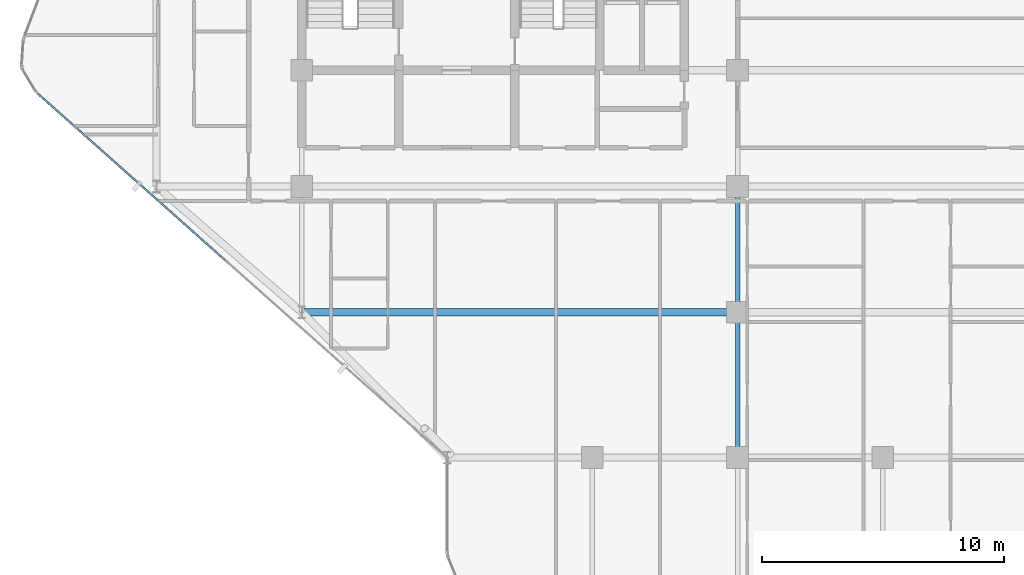
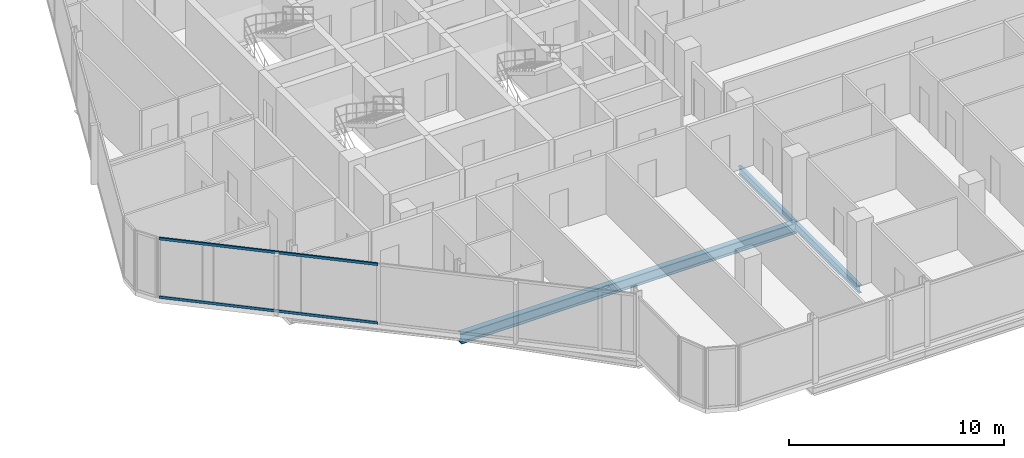
# One storey, part 6 of 31: 3 beams, 2 members, 1 element without a shape of its own.
"""IFC4 building model written with IfcOpenShell, lengths in metres."""

from ifc_helpers import new_model, si_unit, direction, frame, origin, origin_2d, place, context, subcontext, project, spatial, hollow_rectangle, i_section, extrude, material, layer, layer_set, material_profile, profile_set, type_object, element, aggregate, save


model = new_model("IFC4")

# Units and contexts
model_context = context("Model", 3, precision=1e-05, world=origin(), true_north=direction((0.0, 1.0)))
body_context = subcontext(model_context, "Body", "Model", "MODEL_VIEW")
ifc_project = project(units=[si_unit("LENGTHUNIT", "METRE"), si_unit("AREAUNIT", "SQUARE_METRE"), si_unit("VOLUMEUNIT", "CUBIC_METRE"), si_unit("PLANEANGLEUNIT", "RADIAN"), si_unit("MASSUNIT", "GRAM", prefix="KILO")], contexts=[model_context])

# Site, building, storey
site_placement = place(None, origin())
site = spatial("IfcSite", under=ifc_project, at=site_placement, CompositionType="ELEMENT")
building_placement = place(site_placement, origin())
building = spatial("IfcBuilding", under=site, at=building_placement, Name="Keshet Zoharim Tower", CompositionType="ELEMENT")
storey_placement = place(building_placement, frame((0.0, 0.0, 148.300048828125)))
storey = spatial("IfcBuildingStorey", under=building, at=storey_placement, Name="L36", CompositionType="ELEMENT", Elevation=148.300048828125)

# Beams
ifc_material_1 = material(Name="Steel S355", Category="steel")
ifc_material_profile_1 = material_profile(ifc_material_1, i_section(OverallWidth=0.300048828125, OverallDepth=0.60009765625, WebThickness=0.015380859375, FlangeThickness=0.030029296875, FilletRadius=0.027099609375, at=origin_2d()), Name="HEB600")
ifc_profile_set_1 = profile_set([ifc_material_profile_1], Name="Steel S355")
beam_type_1 = type_object("IfcBeamType", Name="BM-LNG-HB600", PredefinedType="BEAM", material=ifc_profile_set_1)
beam_1_placement = place(storey_placement, frame((15.0, 12.699951171875, -0.614990234375), z_axis=(1.0, 0.0, 0.0), x_axis=(0.0, 1.0, 0.0)))
element("IfcBeam", 1, at=beam_1_placement, inside=storey, type_object=beam_type_1, Name="L36 Primary Girder X-009", PredefinedType="BEAM", context=body_context, shape_type="SweptSolid", body=[
    extrude(i_section(OverallWidth=0.300048828125, OverallDepth=0.60009765625, WebThickness=0.015380859375, FlangeThickness=0.030029296875, FilletRadius=0.027099609375, at=origin_2d()), origin(), (0.0, 0.0, 1.0), 18.0),
])
ifc_material_profile_2 = material_profile(ifc_material_1, i_section(OverallWidth=0.18994140625, OverallDepth=0.449951171875, WebThickness=0.009521484375, FlangeThickness=0.0146484375, FilletRadius=0.02099609375, at=origin_2d()), Name="IPE450")
ifc_profile_set_2 = profile_set([ifc_material_profile_2], Name="Steel S355")
beam_type_2 = type_object("IfcBeamType", Name="BM-PRI-IP450", PredefinedType="BEAM", material=ifc_profile_set_2)
beam_2_placement = place(storey_placement, frame((33.0, 6.699951171875, -0.5400390625), z_axis=(0.0, 1.0, 0.0), x_axis=(-1.0, 0.0, 0.0)))
element("IfcBeam", 2, at=beam_2_placement, inside=storey, type_object=beam_type_2, Name="L36 Primary Girder Y-006", PredefinedType="BEAM", context=body_context, shape_type="SweptSolid", body=[
    extrude(i_section(OverallWidth=0.18994140625, OverallDepth=0.449951171875, WebThickness=0.009521484375, FlangeThickness=0.0146484375, FilletRadius=0.02099609375, at=origin_2d()), origin(), (0.0, 0.0, 1.0), 6.0),
])
beam_3_placement = place(storey_placement, frame((33.0, 12.699951171875, -0.5400390625), z_axis=(0.0, 1.0, 0.0), x_axis=(-1.0, 0.0, 0.0)))
element("IfcBeam", 3, at=beam_3_placement, inside=storey, type_object=beam_type_2, Name="L36 Primary Girder Y-007", PredefinedType="BEAM", context=body_context, shape_type="SweptSolid", body=[
    extrude(i_section(OverallWidth=0.18994140625, OverallDepth=0.449951171875, WebThickness=0.009521484375, FlangeThickness=0.0146484375, FilletRadius=0.02099609375, at=origin_2d()), origin(), (0.0, 0.0, 1.0), 5.199951171875),
])

# Curtain wall, members
ifc_material_2 = material(Name="Aluminium 6063-T6", Category="aluminium")
ifc_layer = layer(ifc_material_2, 0.159912109375)
ifc_layer_set = layer_set([ifc_layer], Name="Aluminium 6063-T6")
curtain_wall_type = type_object("IfcCurtainWallType", Name="CW-SYS-03", PredefinedType="NOTDEFINED", material=ifc_layer_set)
curtain_wall_placement = place(storey_placement, origin())
curtain_wall = element("IfcCurtainWall", 4, at=curtain_wall_placement, inside=storey, type_object=curtain_wall_type, Name="L36 Unitised Curtain Wall 07 Part 2", PredefinedType="NOTDEFINED")
ifc_material_profile_3 = material_profile(ifc_material_2, hollow_rectangle(XDim=0.080078125, YDim=0.139892578125, WallThickness=0.00390625, at=origin_2d()), Name="TRN-80x140")
ifc_profile_set_3 = profile_set([ifc_material_profile_3], Name="Aluminium 6063-T6")
member_type = type_object("IfcMemberType", Name="CWT-T14", PredefinedType="USERDEFINED", material=ifc_profile_set_3)
member_1_placement = place(storey_placement, frame((11.8388671875, 14.84326171875, 0.034912109375), z_axis=(-0.747411916254, 0.664360916552, 0.0), x_axis=(-0.664360916552, -0.747411916254, 0.0)))
member_1 = element("IfcMember", 5, at=member_1_placement, type_object=member_type, Name="CW-03 transom 2.1", ObjectType="TRANSOM", PredefinedType="USERDEFINED", context=body_context, shape_type="SweptSolid", body=[
    extrude(hollow_rectangle(XDim=0.080078125, YDim=0.139892578125, WallThickness=0.00390625, at=origin_2d()), origin(), (0.0, 0.0, 1.0), 10.37109375),
])
member_2_placement = place(storey_placement, frame((11.8388671875, 14.84326171875, 3.349853515625), z_axis=(-0.747411916254, 0.664360916552, 0.0), x_axis=(-0.664360916552, -0.747411916254, 0.0)))
member_2 = element("IfcMember", 6, at=member_2_placement, type_object=member_type, Name="CW-03 transom 2.2", ObjectType="TRANSOM", PredefinedType="USERDEFINED", context=body_context, shape_type="SweptSolid", body=[
    extrude(hollow_rectangle(XDim=0.080078125, YDim=0.139892578125, WallThickness=0.00390625, at=origin_2d()), origin(), (0.0, 0.0, 1.0), 10.37109375),
])
aggregate(curtain_wall, [member_1, member_2])

save(model, "model.ifc")
